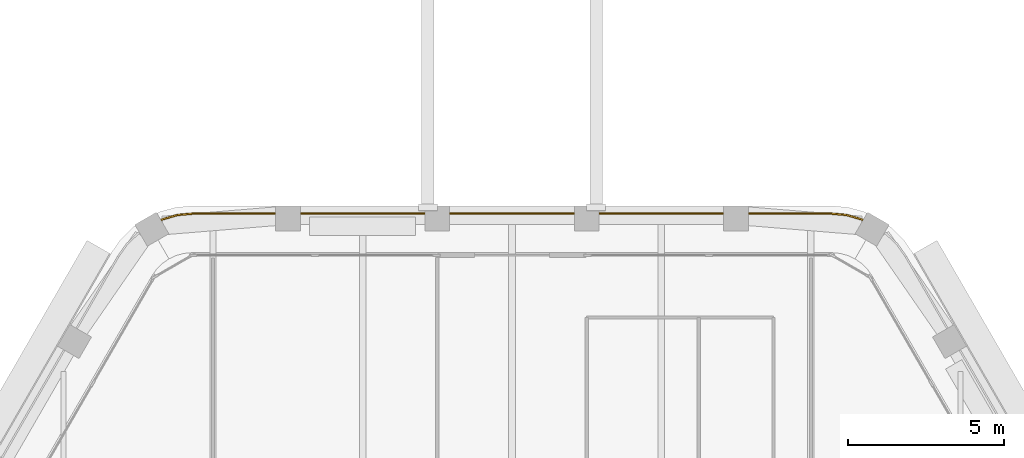
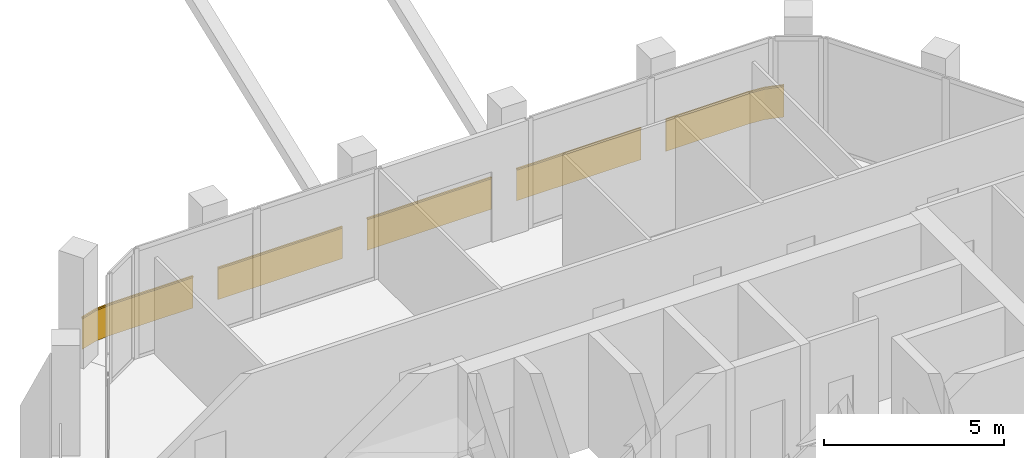
# One storey, part 14 of 14: 1 railing.
"""IFC4 building model written with IfcOpenShell, lengths in metres."""

from ifc_helpers import new_model, si_unit, direction, frame, frame_2d, origin, origin_2d, place, context, subcontext, project, spatial, rectangle, extrude, material, type_object, element, save


model = new_model("IFC4")

# Units and contexts
model_context = context("Model", 3, precision=1e-05, world=origin(), true_north=direction((0.0, 1.0)))
body_context = subcontext(model_context, "Body", "Model", "MODEL_VIEW")
ifc_project = project(units=[si_unit("LENGTHUNIT", "METRE"), si_unit("AREAUNIT", "SQUARE_METRE"), si_unit("VOLUMEUNIT", "CUBIC_METRE"), si_unit("PLANEANGLEUNIT", "RADIAN"), si_unit("MASSUNIT", "GRAM", prefix="KILO")], contexts=[model_context])

# Site, building, storey
site_placement = place(None, origin())
site = spatial("IfcSite", under=ifc_project, at=site_placement, CompositionType="ELEMENT")
building_placement = place(site_placement, origin())
building = spatial("IfcBuilding", under=site, at=building_placement, Name="Kolab Exchange Tower", CompositionType="ELEMENT")
storey_placement = place(building_placement, frame((0.0, 0.0, 261.800048828125)))
storey = spatial("IfcBuildingStorey", under=building, at=storey_placement, Name="L58", CompositionType="ELEMENT", Elevation=261.800048828125)

# Railing
ifc_material = material(Name="Steel S235", Category="steel")
railing_type = type_object("IfcRailingType", Name="GUARD 1100 GLASS BALUSTRADE AND STEEL TOP RAIL", PredefinedType="GUARDRAIL", material=ifc_material)
railing_placement = place(storey_placement, frame((11.280517578125, 20.335205078125, 0.0)))
element("IfcRailing", 1, at=railing_placement, inside=storey, type_object=railing_type, Name="Guard", PredefinedType="GUARDRAIL", context=body_context, shape_type="SweptSolid", body=[
    extrude(rectangle(XDim=0.05, YDim=0.05, at=origin_2d()), frame((0.0, 0.0, 1.0751953125), z_axis=(-0.959212061764, 0.282687496304, 0.0), x_axis=(-0.282687496304, -0.959212061764, 0.0)), (0.0, 0.0, 1.0), 0.557861328125),
    extrude(rectangle(XDim=0.012, YDim=1.05009765625, at=frame_2d((0.0, 0.525146484375))), frame((0.0, 0.0, 0.0), z_axis=(-0.959212061764, 0.282687496304, 0.0), x_axis=(-0.282687496304, -0.959212061764, 0.0)), (0.0, 0.0, 1.0), 0.557861328125),
    extrude(rectangle(XDim=0.05, YDim=0.05, at=origin_2d()), frame((-0.53515625, 0.15771484375, 1.0751953125), z_axis=(-0.996196482496, 0.087135344505, 0.0), x_axis=(-0.087135344505, -0.996196482496, 0.0)), (0.0, 0.0, 1.0), 0.47900390625),
    extrude(rectangle(XDim=0.012, YDim=1.05009765625, at=frame_2d((0.0, 0.525146484375))), frame((-0.53515625, 0.15771484375, 0.0), z_axis=(-0.996196482496, 0.087135344505, 0.0), x_axis=(-0.087135344505, -0.996196482496, 0.0)), (0.0, 0.0, 1.0), 0.47900390625),
    extrude(rectangle(XDim=0.05, YDim=0.05, at=origin_2d()), frame((-1.012451171875, 0.199462890625, 1.0751953125), z_axis=(-1.0, 0.0, 0.0), x_axis=(0.0, -1.0, 0.0)), (0.0, 0.0, 1.0), 2.66796875),
    extrude(rectangle(XDim=0.012, YDim=1.05009765625, at=frame_2d((0.0, 0.525146484375))), frame((-1.012451171875, 0.199462890625, 0.0), z_axis=(-1.0, 0.0, 0.0), x_axis=(0.0, -1.0, 0.0)), (0.0, 0.0, 1.0), 2.66796875),
    extrude(rectangle(XDim=0.05, YDim=0.05, at=origin_2d()), frame((-4.48046875, 0.199462890625, 1.0751953125), z_axis=(-1.0, 0.0, 0.0), x_axis=(0.0, -1.0, 0.0)), (0.0, 0.0, 1.0), 4.0),
    extrude(rectangle(XDim=0.012, YDim=1.05009765625, at=frame_2d((0.0, 0.525146484375))), frame((-4.48046875, 0.199462890625, 0.0), z_axis=(-1.0, 0.0, 0.0), x_axis=(0.0, -1.0, 0.0)), (0.0, 0.0, 1.0), 4.0),
    extrude(rectangle(XDim=0.05, YDim=0.05, at=origin_2d()), frame((-9.280517578125, 0.199462890625, 1.0751953125), z_axis=(-1.0, 0.0, 0.0), x_axis=(0.0, -1.0, 0.0)), (0.0, 0.0, 1.0), 4.0),
    extrude(rectangle(XDim=0.012, YDim=1.05009765625, at=frame_2d((0.0, 0.525146484375))), frame((-9.280517578125, 0.199462890625, 0.0), z_axis=(-1.0, 0.0, 0.0), x_axis=(0.0, -1.0, 0.0)), (0.0, 0.0, 1.0), 4.0),
    extrude(rectangle(XDim=0.05, YDim=0.05, at=origin_2d()), frame((-14.08056640625, 0.199462890625, 1.0751953125), z_axis=(-1.0, 0.0, 0.0), x_axis=(0.0, -1.0, 0.0)), (0.0, 0.0, 1.0), 4.0),
    extrude(rectangle(XDim=0.012, YDim=1.05009765625, at=frame_2d((0.0, 0.525146484375))), frame((-14.08056640625, 0.199462890625, 0.0), z_axis=(-1.0, 0.0, 0.0), x_axis=(0.0, -1.0, 0.0)), (0.0, 0.0, 1.0), 4.0),
    extrude(rectangle(XDim=0.05, YDim=0.05, at=origin_2d()), frame((-18.880615234375, 0.199462890625, 1.0751953125), z_axis=(-1.0, 0.0, 0.0), x_axis=(0.0, -1.0, 0.0)), (0.0, 0.0, 1.0), 2.66796875),
    extrude(rectangle(XDim=0.012, YDim=1.05009765625, at=frame_2d((0.0, 0.525146484375))), frame((-18.880615234375, 0.199462890625, 0.0), z_axis=(-1.0, 0.0, 0.0), x_axis=(0.0, -1.0, 0.0)), (0.0, 0.0, 1.0), 2.66796875),
    extrude(rectangle(XDim=0.05, YDim=0.05, at=origin_2d()), frame((-21.548583984375, 0.199462890625, 1.0751953125), z_axis=(-0.996196482496, -0.087135344505, 0.0), x_axis=(0.087135344505, -0.996196482496, 0.0)), (0.0, 0.0, 1.0), 0.47900390625),
    extrude(rectangle(XDim=0.012, YDim=1.05009765625, at=frame_2d((0.0, 0.525146484375))), frame((-21.548583984375, 0.199462890625, 0.0), z_axis=(-0.996196482496, -0.087135344505, 0.0), x_axis=(0.087135344505, -0.996196482496, 0.0)), (0.0, 0.0, 1.0), 0.47900390625),
    extrude(rectangle(XDim=0.05, YDim=0.05, at=origin_2d()), frame((-22.02587890625, 0.15771484375, 1.0751953125), z_axis=(-0.959212061764, -0.282687496304, 0.0), x_axis=(0.282687496304, -0.959212061764, 0.0)), (0.0, 0.0, 1.0), 0.557861328125),
    extrude(rectangle(XDim=0.012, YDim=1.05009765625, at=frame_2d((0.0, 0.525146484375))), frame((-22.02587890625, 0.15771484375, 0.0), z_axis=(-0.959212061764, -0.282687496304, 0.0), x_axis=(0.282687496304, -0.959212061764, 0.0)), (0.0, 0.0, 1.0), 0.557861328125),
])

save(model, "model.ifc")
